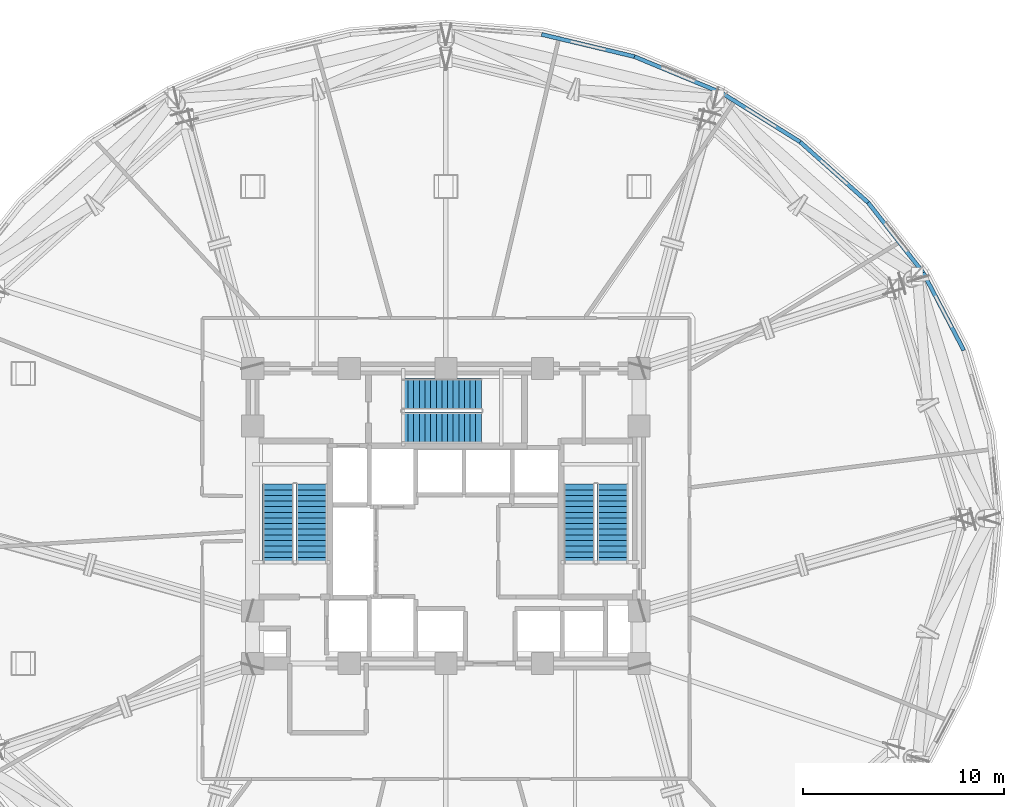
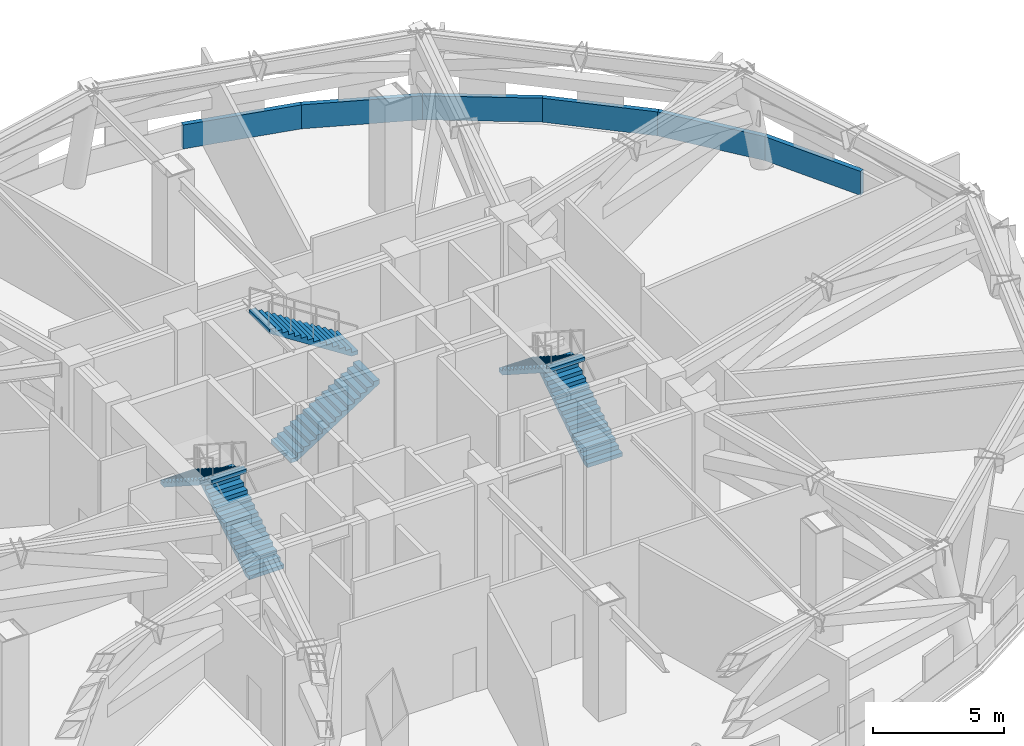
# One storey, part 9 of 14: 6 stair flights, 6 walls, 3 elements without a shape of their own.
"""IFC4 building model written with IfcOpenShell, lengths in metres."""

from ifc_helpers import new_model, si_unit, direction, frame, frame_2d, origin, place, context, subcontext, project, spatial, polyline, rectangle, outline, extrude, material, layer, layer_set, type_object, element, aggregate, save


model = new_model("IFC4")

# Units and contexts
model_context = context("Model", 3, precision=1e-05, world=origin(), true_north=direction((0.0, 1.0)))
body_context = subcontext(model_context, "Body", "Model", "MODEL_VIEW")
ifc_project = project(units=[si_unit("LENGTHUNIT", "METRE"), si_unit("AREAUNIT", "SQUARE_METRE"), si_unit("VOLUMEUNIT", "CUBIC_METRE"), si_unit("PLANEANGLEUNIT", "RADIAN"), si_unit("MASSUNIT", "GRAM", prefix="KILO")], contexts=[model_context])

# Site, building, storey
site_placement = place(None, origin())
site = spatial("IfcSite", under=ifc_project, at=site_placement, CompositionType="ELEMENT")
building_placement = place(site_placement, origin())
building = spatial("IfcBuilding", under=site, at=building_placement, Name="Vantalir Tower", CompositionType="ELEMENT")
storey_placement = place(building_placement, frame((0.0, 0.0, 90.75)))
storey = spatial("IfcBuildingStorey", under=building, at=storey_placement, Name="L22", CompositionType="ELEMENT", Elevation=90.75)

# Walls
ifc_material_1 = material(Name="Concrete C40/50 parapet upstand", Category="concrete")
ifc_layer = layer(ifc_material_1, 0.199951171875)
ifc_layer_set = layer_set([ifc_layer], Name="Concrete C40/50 parapet upstand")
wall_type = type_object("IfcWallType", Name="WL-PARA-200", PredefinedType="PARAPET", material=ifc_layer_set)
wall_1_placement = place(storey_placement, frame((57.22900390625, 33.35302734375, 0.0), z_axis=(0.0, 0.0, 1.0), x_axis=(-0.463244201009, 0.88623067552, 0.0)))
element("IfcWall", 1, at=wall_1_placement, inside=storey, type_object=wall_type, Name="L22 Refuge Perimeter Parapet R03", PredefinedType="PARAPET", context=body_context, shape_type="SweptSolid", body=[
    extrude(rectangle(XDim=4.354248046875, YDim=0.199951171875, at=frame_2d((2.17724609375, 0.0))), origin(), (0.0, 0.0, 1.0), 1.1201171875),
])
wall_2_placement = place(storey_placement, frame((55.2119140625, 37.2119140625, 0.0), z_axis=(0.0, 0.0, 1.0), x_axis=(-0.617536962494, 0.786541861539, 0.0)))
element("IfcWall", 2, at=wall_2_placement, inside=storey, type_object=wall_type, Name="L22 Refuge Perimeter Parapet R04", PredefinedType="PARAPET", context=body_context, shape_type="SweptSolid", body=[
    extrude(rectangle(XDim=4.433349609375, YDim=0.199951171875, at=frame_2d((2.216796875, 0.0))), origin(), (0.0, 0.0, 1.0), 1.1201171875),
])
wall_3_placement = place(storey_placement, frame((52.47412109375, 40.698974609375, 0.0), z_axis=(0.0, 0.0, 1.0), x_axis=(-0.746213513414, 0.66570668646, 0.0)))
element("IfcWall", 3, at=wall_3_placement, inside=storey, type_object=wall_type, Name="L22 Refuge Perimeter Parapet R05", PredefinedType="PARAPET", context=body_context, shape_type="SweptSolid", body=[
    extrude(rectangle(XDim=4.521484375, YDim=0.199951171875, at=frame_2d((2.2607421875, 0.0))), origin(), (0.0, 0.0, 1.0), 1.1201171875),
])
wall_4_placement = place(storey_placement, frame((49.10009765625, 43.708984375, 0.0), z_axis=(0.0, 0.0, 1.0), x_axis=(-0.848188663057, 0.52969424375, 0.0)))
element("IfcWall", 4, at=wall_4_placement, inside=storey, type_object=wall_type, Name="L22 Refuge Perimeter Parapet R06", PredefinedType="PARAPET", context=body_context, shape_type="SweptSolid", body=[
    extrude(rectangle(XDim=4.610107421875, YDim=0.199951171875, at=frame_2d((2.30517578125, 0.0))), origin(), (0.0, 0.0, 1.0), 1.1201171875),
])
wall_5_placement = place(storey_placement, frame((45.18994140625, 46.15087890625, 0.0), z_axis=(0.0, 0.0, 1.0), x_axis=(-0.923303437926, 0.384071297436, 0.0)))
element("IfcWall", 5, at=wall_5_placement, inside=storey, type_object=wall_type, Name="L22 Refuge Perimeter Parapet R07", PredefinedType="PARAPET", context=body_context, shape_type="SweptSolid", body=[
    extrude(rectangle(XDim=4.684326171875, YDim=0.199951171875, at=frame_2d((2.34228515625, 0.0))), origin(), (0.0, 0.0, 1.0), 1.1201171875),
])
wall_6_placement = place(storey_placement, frame((40.864990234375, 47.949951171875, 0.0), z_axis=(0.0, 0.0, 1.0), x_axis=(-0.972607498373, 0.232453552584, 0.0)))
element("IfcWall", 6, at=wall_6_placement, inside=storey, type_object=wall_type, Name="L22 Refuge Perimeter Parapet R08", PredefinedType="PARAPET", context=body_context, shape_type="SweptSolid", body=[
    extrude(rectangle(XDim=4.740966796875, YDim=0.199951171875, at=frame_2d((2.37060546875, 0.0))), origin(), (0.0, 0.0, 1.0), 1.1201171875),
])

# Stair, stair flights
ifc_material_2 = material(Name="Concrete C40/50", Category="concrete")
stair_type = type_object("IfcStairType", Name="STR-CORE-1450", PredefinedType="HALF_TURN_STAIR", material=ifc_material_2)
stair_1_placement = place(storey_placement, origin())
stair_1 = element("IfcStair", 7, at=stair_1_placement, inside=storey, type_object=stair_type, Name="L22 Core Exit Stair 1", PredefinedType="HALF_TURN_STAIR")
stair_flight_type = type_object("IfcStairFlightType", Name="FLT-CORE-1450", PredefinedType="STRAIGHT", material=ifc_material_2)
stair_flight_1_placement = place(storey_placement, frame((24.830078125, 22.7900390625, 0.0), z_axis=(0.0, 0.0, 1.0), x_axis=(0.0, 1.0, 0.0)))
stair_flight_1 = element("IfcStairFlight", 8, at=stair_flight_1_placement, type_object=stair_flight_type, Name="ST1 flight 1", NumberOfRisers=15, NumberOfTreads=14, PredefinedType="STRAIGHT", RiserHeight=0.18, TreadLength=0.28, context=body_context, shape_type="SweptSolid", body=[
    extrude(outline(polyline([(0.0, 0.0), (0.0, 0.179931640625), (0.280029296875, 0.179931640625), (0.280029296875, 0.360107421875), (0.56005859375, 0.360107421875), (0.56005859375, 0.5400390625), (0.840087890625, 0.5400390625), (0.840087890625, 0.719970703125), (1.1201171875, 0.719970703125), (1.1201171875, 0.89990234375), (1.39990234375, 0.89990234375), (1.39990234375, 1.080078125), (1.679931640625, 1.080078125), (1.679931640625, 1.260009765625), (1.9599609375, 1.260009765625), (1.9599609375, 1.43994140625), (2.239990234375, 1.43994140625), (2.239990234375, 1.6201171875), (2.52001953125, 1.6201171875), (2.52001953125, 1.800048828125), (2.800048828125, 1.800048828125), (2.800048828125, 1.97998046875), (3.080078125, 1.97998046875), (3.080078125, 2.159912109375), (3.360107421875, 2.159912109375), (3.360107421875, 2.340087890625), (3.639892578125, 2.340087890625), (3.639892578125, 2.52001953125), (3.919921875, 2.52001953125), (3.919921875, 2.699951171875), (3.919921875, 2.341796875), (0.277099609375, 0.0), (0.0, 0.0)])), frame((0.0, 0.77001953125, 0.0), z_axis=(0.0, -1.0, 0.0), x_axis=(1.0, 0.0, 0.0)), (0.0, 0.0, 1.0), 1.5400390625),
])
stair_flight_2_placement = place(storey_placement, frame((23.169921875, 26.7099609375, 2.699951171875), z_axis=(0.0, 0.0, 1.0), x_axis=(0.0, -1.0, 0.0)))
stair_flight_2 = element("IfcStairFlight", 9, at=stair_flight_2_placement, type_object=stair_flight_type, Name="ST1 flight 2", NumberOfRisers=15, NumberOfTreads=14, PredefinedType="STRAIGHT", RiserHeight=0.18, TreadLength=0.28, context=body_context, shape_type="SweptSolid", body=[
    extrude(outline(polyline([(0.0, 0.0), (0.0, 0.179931640625), (0.280029296875, 0.179931640625), (0.280029296875, 0.360107421875), (0.56005859375, 0.360107421875), (0.56005859375, 0.5400390625), (0.840087890625, 0.5400390625), (0.840087890625, 0.719970703125), (1.1201171875, 0.719970703125), (1.1201171875, 0.89990234375), (1.39990234375, 0.89990234375), (1.39990234375, 1.080078125), (1.679931640625, 1.080078125), (1.679931640625, 1.260009765625), (1.9599609375, 1.260009765625), (1.9599609375, 1.43994140625), (2.239990234375, 1.43994140625), (2.239990234375, 1.6201171875), (2.52001953125, 1.6201171875), (2.52001953125, 1.800048828125), (2.800048828125, 1.800048828125), (2.800048828125, 1.97998046875), (3.080078125, 1.97998046875), (3.080078125, 2.159912109375), (3.360107421875, 2.159912109375), (3.360107421875, 2.340087890625), (3.639892578125, 2.340087890625), (3.639892578125, 2.52001953125), (3.919921875, 2.52001953125), (3.919921875, 2.699951171875), (3.919921875, 2.341796875), (0.277099609375, 0.0), (0.0, 0.0)])), frame((0.0, 0.77001953125, 0.0), z_axis=(0.0, -1.0, 0.0), x_axis=(1.0, 0.0, 0.0)), (0.0, 0.0, 1.0), 1.5400390625),
])
aggregate(stair_1, [stair_flight_1, stair_flight_2])

stair_2_placement = place(storey_placement, origin())
stair_2 = element("IfcStair", 10, at=stair_2_placement, inside=storey, type_object=stair_type, Name="L22 Core Exit Stair 2", PredefinedType="HALF_TURN_STAIR")
stair_flight_3_placement = place(storey_placement, frame((39.780029296875, 22.7900390625, 0.0), z_axis=(0.0, 0.0, 1.0), x_axis=(0.0, 1.0, 0.0)))
stair_flight_3 = element("IfcStairFlight", 11, at=stair_flight_3_placement, type_object=stair_flight_type, Name="ST2 flight 1", NumberOfRisers=15, NumberOfTreads=14, PredefinedType="STRAIGHT", RiserHeight=0.18, TreadLength=0.28, context=body_context, shape_type="SweptSolid", body=[
    extrude(outline(polyline([(0.0, 0.0), (0.0, 0.179931640625), (0.280029296875, 0.179931640625), (0.280029296875, 0.360107421875), (0.56005859375, 0.360107421875), (0.56005859375, 0.5400390625), (0.840087890625, 0.5400390625), (0.840087890625, 0.719970703125), (1.1201171875, 0.719970703125), (1.1201171875, 0.89990234375), (1.39990234375, 0.89990234375), (1.39990234375, 1.080078125), (1.679931640625, 1.080078125), (1.679931640625, 1.260009765625), (1.9599609375, 1.260009765625), (1.9599609375, 1.43994140625), (2.239990234375, 1.43994140625), (2.239990234375, 1.6201171875), (2.52001953125, 1.6201171875), (2.52001953125, 1.800048828125), (2.800048828125, 1.800048828125), (2.800048828125, 1.97998046875), (3.080078125, 1.97998046875), (3.080078125, 2.159912109375), (3.360107421875, 2.159912109375), (3.360107421875, 2.340087890625), (3.639892578125, 2.340087890625), (3.639892578125, 2.52001953125), (3.919921875, 2.52001953125), (3.919921875, 2.699951171875), (3.919921875, 2.341796875), (0.277099609375, 0.0), (0.0, 0.0)])), frame((0.0, 0.77001953125, 0.0), z_axis=(0.0, -1.0, 0.0), x_axis=(1.0, 0.0, 0.0)), (0.0, 0.0, 1.0), 1.5400390625),
])
stair_flight_4_placement = place(storey_placement, frame((38.1201171875, 26.7099609375, 2.699951171875), z_axis=(0.0, 0.0, 1.0), x_axis=(0.0, -1.0, 0.0)))
stair_flight_4 = element("IfcStairFlight", 12, at=stair_flight_4_placement, type_object=stair_flight_type, Name="ST2 flight 2", NumberOfRisers=15, NumberOfTreads=14, PredefinedType="STRAIGHT", RiserHeight=0.18, TreadLength=0.28, context=body_context, shape_type="SweptSolid", body=[
    extrude(outline(polyline([(0.0, 0.0), (0.0, 0.179931640625), (0.280029296875, 0.179931640625), (0.280029296875, 0.360107421875), (0.56005859375, 0.360107421875), (0.56005859375, 0.5400390625), (0.840087890625, 0.5400390625), (0.840087890625, 0.719970703125), (1.1201171875, 0.719970703125), (1.1201171875, 0.89990234375), (1.39990234375, 0.89990234375), (1.39990234375, 1.080078125), (1.679931640625, 1.080078125), (1.679931640625, 1.260009765625), (1.9599609375, 1.260009765625), (1.9599609375, 1.43994140625), (2.239990234375, 1.43994140625), (2.239990234375, 1.6201171875), (2.52001953125, 1.6201171875), (2.52001953125, 1.800048828125), (2.800048828125, 1.800048828125), (2.800048828125, 1.97998046875), (3.080078125, 1.97998046875), (3.080078125, 2.159912109375), (3.360107421875, 2.159912109375), (3.360107421875, 2.340087890625), (3.639892578125, 2.340087890625), (3.639892578125, 2.52001953125), (3.919921875, 2.52001953125), (3.919921875, 2.699951171875), (3.919921875, 2.341796875), (0.277099609375, 0.0), (0.0, 0.0)])), frame((0.0, 0.77001953125, 0.0), z_axis=(0.0, -1.0, 0.0), x_axis=(1.0, 0.0, 0.0)), (0.0, 0.0, 1.0), 1.5400390625),
])
aggregate(stair_2, [stair_flight_3, stair_flight_4])

stair_3_placement = place(storey_placement, origin())
stair_3 = element("IfcStair", 13, at=stair_3_placement, inside=storey, type_object=stair_type, Name="L22 Core Exit Stair 3", PredefinedType="HALF_TURN_STAIR")
stair_flight_5_placement = place(storey_placement, frame((29.340087890625, 29.52001953125, 0.0), z_axis=(0.0, 0.0, 1.0), x_axis=(1.0, 0.0, 0.0)))
stair_flight_5 = element("IfcStairFlight", 14, at=stair_flight_5_placement, type_object=stair_flight_type, Name="ST3 flight 1", NumberOfRisers=15, NumberOfTreads=14, PredefinedType="STRAIGHT", RiserHeight=0.18, TreadLength=0.28, context=body_context, shape_type="SweptSolid", body=[
    extrude(outline(polyline([(0.0, 0.0), (0.0, 0.179931640625), (0.280029296875, 0.179931640625), (0.280029296875, 0.360107421875), (0.56005859375, 0.360107421875), (0.56005859375, 0.5400390625), (0.840087890625, 0.5400390625), (0.840087890625, 0.719970703125), (1.1201171875, 0.719970703125), (1.1201171875, 0.89990234375), (1.39990234375, 0.89990234375), (1.39990234375, 1.080078125), (1.679931640625, 1.080078125), (1.679931640625, 1.260009765625), (1.9599609375, 1.260009765625), (1.9599609375, 1.43994140625), (2.239990234375, 1.43994140625), (2.239990234375, 1.6201171875), (2.52001953125, 1.6201171875), (2.52001953125, 1.800048828125), (2.800048828125, 1.800048828125), (2.800048828125, 1.97998046875), (3.080078125, 1.97998046875), (3.080078125, 2.159912109375), (3.360107421875, 2.159912109375), (3.360107421875, 2.340087890625), (3.639892578125, 2.340087890625), (3.639892578125, 2.52001953125), (3.919921875, 2.52001953125), (3.919921875, 2.699951171875), (3.919921875, 2.341796875), (0.277099609375, 0.0), (0.0, 0.0)])), frame((0.0, 0.77001953125, 0.0), z_axis=(0.0, -1.0, 0.0), x_axis=(1.0, 0.0, 0.0)), (0.0, 0.0, 1.0), 1.5400390625),
])
stair_flight_6_placement = place(storey_placement, frame((33.260009765625, 31.179931640625, 2.699951171875), z_axis=(0.0, 0.0, 1.0), x_axis=(-1.0, 0.0, 0.0)))
stair_flight_6 = element("IfcStairFlight", 15, at=stair_flight_6_placement, type_object=stair_flight_type, Name="ST3 flight 2", NumberOfRisers=15, NumberOfTreads=14, PredefinedType="STRAIGHT", RiserHeight=0.18, TreadLength=0.28, context=body_context, shape_type="SweptSolid", body=[
    extrude(outline(polyline([(0.0, 0.0), (0.0, 0.179931640625), (0.280029296875, 0.179931640625), (0.280029296875, 0.360107421875), (0.56005859375, 0.360107421875), (0.56005859375, 0.5400390625), (0.840087890625, 0.5400390625), (0.840087890625, 0.719970703125), (1.1201171875, 0.719970703125), (1.1201171875, 0.89990234375), (1.39990234375, 0.89990234375), (1.39990234375, 1.080078125), (1.679931640625, 1.080078125), (1.679931640625, 1.260009765625), (1.9599609375, 1.260009765625), (1.9599609375, 1.43994140625), (2.239990234375, 1.43994140625), (2.239990234375, 1.6201171875), (2.52001953125, 1.6201171875), (2.52001953125, 1.800048828125), (2.800048828125, 1.800048828125), (2.800048828125, 1.97998046875), (3.080078125, 1.97998046875), (3.080078125, 2.159912109375), (3.360107421875, 2.159912109375), (3.360107421875, 2.340087890625), (3.639892578125, 2.340087890625), (3.639892578125, 2.52001953125), (3.919921875, 2.52001953125), (3.919921875, 2.699951171875), (3.919921875, 2.341796875), (0.277099609375, 0.0), (0.0, 0.0)])), frame((0.0, 0.77001953125, 0.0), z_axis=(0.0, -1.0, 0.0), x_axis=(1.0, 0.0, 0.0)), (0.0, 0.0, 1.0), 1.5400390625),
])
aggregate(stair_3, [stair_flight_5, stair_flight_6])

save(model, "model.ifc")
